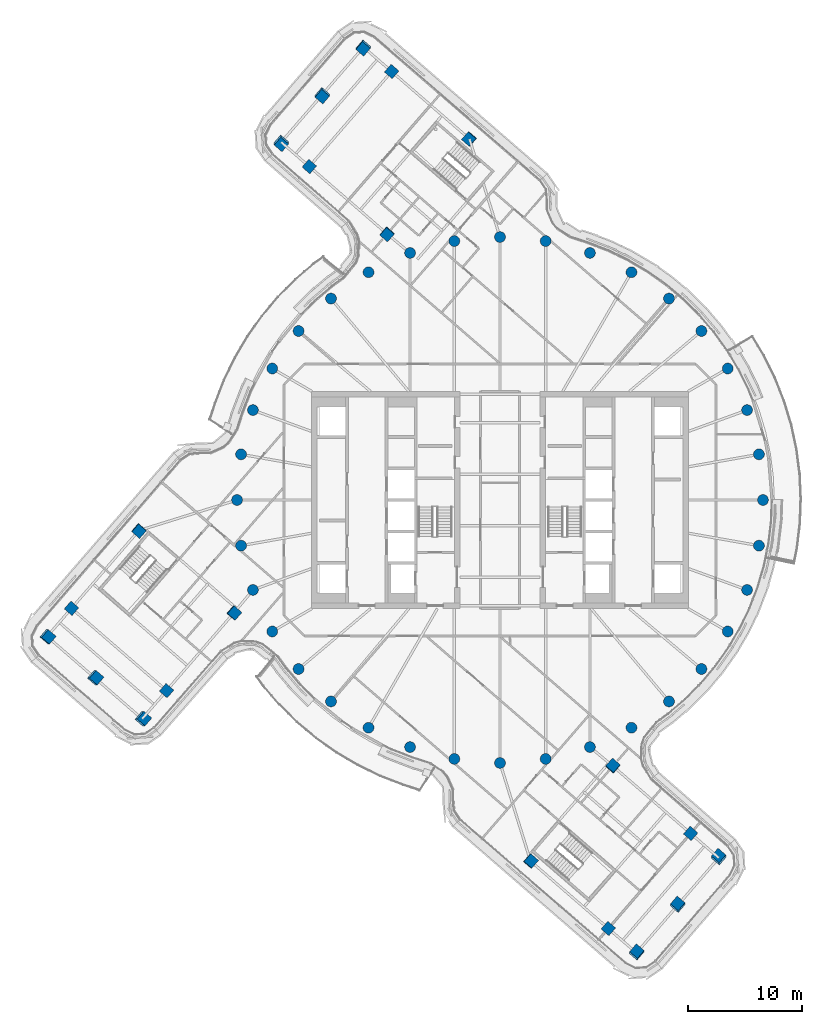
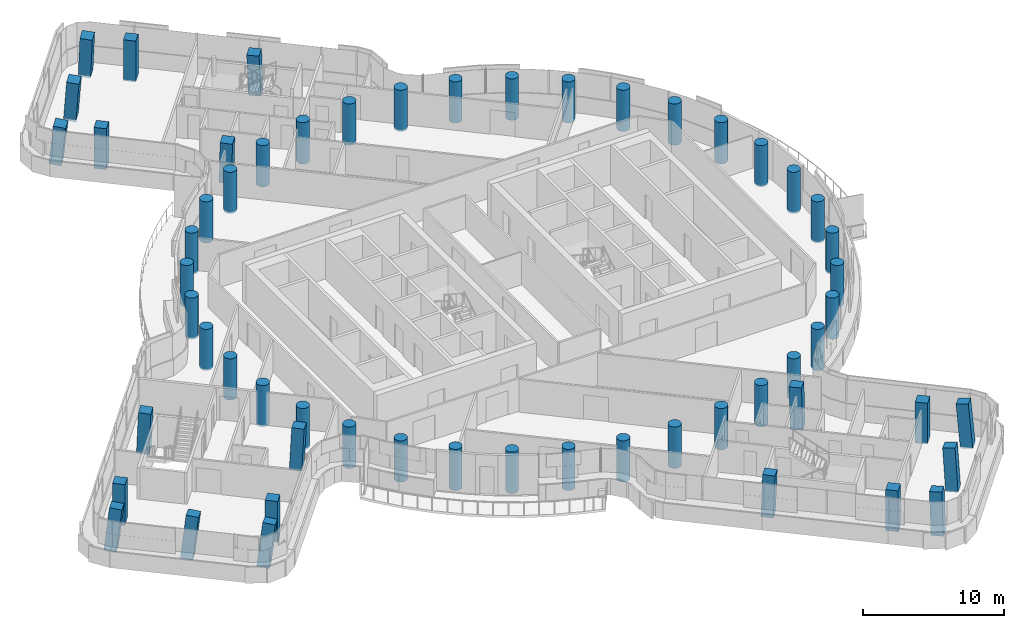
# One storey, part 1 of 32: 57 columns.
"""IFC4 building model written with IfcOpenShell, lengths in metres."""

from ifc_helpers import new_model, si_unit, direction, frame, origin, origin_2d, place, context, subcontext, project, spatial, rectangle, circle, extrude, material, material_profile, profile_set, type_object, element, save


model = new_model("IFC4")

# Units and contexts
model_context = context("Model", 3, precision=1e-05, world=origin(), true_north=direction((0.0, 1.0)))
body_context = subcontext(model_context, "Body", "Model", "MODEL_VIEW")
ifc_project = project(units=[si_unit("LENGTHUNIT", "METRE"), si_unit("AREAUNIT", "SQUARE_METRE"), si_unit("VOLUMEUNIT", "CUBIC_METRE"), si_unit("PLANEANGLEUNIT", "RADIAN"), si_unit("MASSUNIT", "GRAM", prefix="KILO")], contexts=[model_context])

# Site, building, storey
site_placement = place(None, origin())
site = spatial("IfcSite", under=ifc_project, at=site_placement, CompositionType="ELEMENT")
building_placement = place(site_placement, origin())
building = spatial("IfcBuilding", under=site, at=building_placement, Name="Tamarind Cross Interchange Tower", CompositionType="ELEMENT")
storey_placement = place(building_placement, frame((0.0, 0.0, 211.300048828125)))
storey = spatial("IfcBuildingStorey", under=building, at=storey_placement, Name="L53", CompositionType="ELEMENT", Elevation=211.300048828125)

# Columns
ifc_material = material(Name="Concrete C55", Category="concrete")
ifc_material_profile_1 = material_profile(ifc_material, rectangle(XDim=0.89990234375, YDim=0.89990234375, at=origin_2d()), Name="RC 900x900")
ifc_profile_set_1 = profile_set([ifc_material_profile_1], Name="Concrete C55")
column_type_1 = type_object("IfcColumnType", Name="Column RC 900x900 Concrete C55", PredefinedType="COLUMN", material=ifc_profile_set_1)
for number, where, z_axis, x_axis, name in (
    (1, (-16.677978515625, 29.168212890625, -0.113037109375), (0.0, 0.0, 1.0), (0.654666934653, 0.755917458902, 0.0), "Column L53-043"),
    (2, (-9.476806640625, 37.4833984375, -0.113037109375), (0.0, 0.0, 1.0), (0.654666934653, 0.755917458902, 0.0), "Column L53-044"),
):
    element("IfcColumn", number, at=place(storey_placement, frame(where, z_axis=z_axis, x_axis=x_axis)), inside=storey, type_object=column_type_1, Name=name, PredefinedType="COLUMN", context=body_context, shape_type="SweptSolid", body=[
        extrude(rectangle(XDim=0.89990234375, YDim=0.89990234375, at=origin_2d()), origin(), (0.0, 0.0, 1.0), 3.532958984375),
    ])
for number, where, z_axis, x_axis, name in (
    (3, (-9.874755859375, 23.276123046875, -0.138671875), (-0.006107636485, -0.050576720108, 0.998701503033), (0.65512033416, 0.754344619796, 0.042208320932), "Column L53-045"),
    (4, (-2.673583984375, 31.59130859375, -0.138671875), (-0.048929749847, -0.014136786071, 0.998702173253), (0.755438576548, -0.654631781885, 0.027745039374), "Column L53-046"),
):
    element("IfcColumn", number, at=place(storey_placement, frame(where, z_axis=z_axis, x_axis=x_axis)), inside=storey, type_object=column_type_1, Name=name, PredefinedType="COLUMN", context=body_context, shape_type="SweptSolid", body=[
        extrude(rectangle(XDim=0.89990234375, YDim=0.89990234375, at=origin_2d()), origin(), (0.0, 0.0, 1.0), 3.5576171875),
    ])
column_1_placement = place(storey_placement, frame((-11.940185546875, 39.616455078125, -0.13818359375), z_axis=(-0.026162103866, -0.114031159521, 0.993132639167), x_axis=(0.653408570418, 0.749921680043, 0.10331850708)))
element("IfcColumn", 5, at=column_1_placement, inside=storey, type_object=column_type_1, Name="Column L53-047", PredefinedType="COLUMN", context=body_context, shape_type="SweptSolid", body=[
    extrude(rectangle(XDim=0.89990234375, YDim=0.89990234375, at=origin_2d()), origin(), (0.0, 0.0, 1.0), 3.564697265625),
])
column_2_placement = place(storey_placement, frame((-15.540771484375, 35.458984375, -0.137939453125), z_axis=(-0.004851014042, -0.131933917115, 0.991246643968), x_axis=(0.654547521536, 0.748986420172, 0.102892586944)))
element("IfcColumn", 6, at=column_2_placement, inside=storey, type_object=column_type_1, Name="Column L53-048", PredefinedType="COLUMN", context=body_context, shape_type="SweptSolid", body=[
    extrude(rectangle(XDim=0.89990234375, YDim=0.89990234375, at=origin_2d()), origin(), (0.0, 0.0, 1.0), 3.5732421875),
])
column_3_placement = place(storey_placement, frame((-19.141357421875, 31.30126953125, -0.137939453125), z_axis=(0.016414482341, -0.14956930797, 0.988614984148), x_axis=(0.655428916843, 0.748292653937, 0.102328095011)))
element("IfcColumn", 7, at=column_3_placement, inside=storey, type_object=column_type_1, Name="Column L53-049", PredefinedType="COLUMN", context=body_context, shape_type="SweptSolid", body=[
    extrude(rectangle(XDim=0.89990234375, YDim=0.89990234375, at=origin_2d()), origin(), (0.0, 0.0, 1.0), 3.58447265625),
])
for number, where, z_axis, x_axis, name in (
    (8, (-29.168212890625, -16.677978515625, -0.113037109375), (0.0, 0.0, 1.0), (0.654666934653, 0.755917458902, 0.0), "Column L53-050"),
    (9, (-37.4833984375, -9.476806640625, -0.113037109375), (0.0, 0.0, 1.0), (0.654666934653, 0.755917458902, 0.0), "Column L53-051"),
):
    element("IfcColumn", number, at=place(storey_placement, frame(where, z_axis=z_axis, x_axis=x_axis)), inside=storey, type_object=column_type_1, Name=name, PredefinedType="COLUMN", context=body_context, shape_type="SweptSolid", body=[
        extrude(rectangle(XDim=0.89990234375, YDim=0.89990234375, at=origin_2d()), origin(), (0.0, 0.0, 1.0), 3.532958984375),
    ])
for number, where, z_axis, x_axis, name in (
    (10, (-23.276123046875, -9.874755859375, -0.138671875), (0.050576720108, -0.006107636485, 0.998701503033), (-0.754344619796, 0.65512033416, 0.042208320932), "Column L53-052"),
    (11, (-31.59130859375, -2.673583984375, -0.138671875), (0.014136786071, -0.048929749847, 0.998702173253), (0.654631781885, 0.755438576548, 0.027745039374), "Column L53-053"),
):
    element("IfcColumn", number, at=place(storey_placement, frame(where, z_axis=z_axis, x_axis=x_axis)), inside=storey, type_object=column_type_1, Name=name, PredefinedType="COLUMN", context=body_context, shape_type="SweptSolid", body=[
        extrude(rectangle(XDim=0.89990234375, YDim=0.89990234375, at=origin_2d()), origin(), (0.0, 0.0, 1.0), 3.5576171875),
    ])
column_4_placement = place(storey_placement, frame((-39.616455078125, -11.940185546875, -0.13818359375), z_axis=(0.114031159521, -0.026162103866, 0.993132639167), x_axis=(-0.749921680043, 0.653408570418, 0.10331850708)))
element("IfcColumn", 12, at=column_4_placement, inside=storey, type_object=column_type_1, Name="Column L53-054", PredefinedType="COLUMN", context=body_context, shape_type="SweptSolid", body=[
    extrude(rectangle(XDim=0.89990234375, YDim=0.89990234375, at=origin_2d()), origin(), (0.0, 0.0, 1.0), 3.564697265625),
])
column_5_placement = place(storey_placement, frame((-35.458984375, -15.540771484375, -0.137939453125), z_axis=(0.131933917115, -0.004851014042, 0.991246643968), x_axis=(-0.748986420172, 0.654547521536, 0.102892586944)))
element("IfcColumn", 13, at=column_5_placement, inside=storey, type_object=column_type_1, Name="Column L53-055", PredefinedType="COLUMN", context=body_context, shape_type="SweptSolid", body=[
    extrude(rectangle(XDim=0.89990234375, YDim=0.89990234375, at=origin_2d()), origin(), (0.0, 0.0, 1.0), 3.5732421875),
])
column_6_placement = place(storey_placement, frame((-31.30126953125, -19.141357421875, -0.137939453125), z_axis=(0.14956930797, 0.016414482341, 0.988614984148), x_axis=(-0.748292653937, 0.655428916843, 0.102328095011)))
element("IfcColumn", 14, at=column_6_placement, inside=storey, type_object=column_type_1, Name="Column L53-056", PredefinedType="COLUMN", context=body_context, shape_type="SweptSolid", body=[
    extrude(rectangle(XDim=0.89990234375, YDim=0.89990234375, at=origin_2d()), origin(), (0.0, 0.0, 1.0), 3.58447265625),
])
for number, where, z_axis, x_axis, name in (
    (15, (16.677978515625, -29.168212890625, -0.113037109375), (0.0, 0.0, 1.0), (0.654666934653, 0.755917458902, 0.0), "Column L53-057"),
    (16, (9.476806640625, -37.4833984375, -0.113037109375), (0.0, 0.0, 1.0), (0.654666934653, 0.755917458902, 0.0), "Column L53-058"),
):
    element("IfcColumn", number, at=place(storey_placement, frame(where, z_axis=z_axis, x_axis=x_axis)), inside=storey, type_object=column_type_1, Name=name, PredefinedType="COLUMN", context=body_context, shape_type="SweptSolid", body=[
        extrude(rectangle(XDim=0.89990234375, YDim=0.89990234375, at=origin_2d()), origin(), (0.0, 0.0, 1.0), 3.532958984375),
    ])
for number, where, z_axis, x_axis, name in (
    (17, (9.874755859375, -23.276123046875, -0.138671875), (0.006058155225, 0.050599364664, 0.99870065738), (-0.654352563954, -0.755009947091, 0.042222053956), "Column L53-059"),
    (18, (2.673583984375, -31.59130859375, -0.138671875), (0.048947189574, 0.014112762114, 0.998701658444), (-0.755079392034, 0.655045814705, 0.027750538066), "Column L53-060"),
):
    element("IfcColumn", number, at=place(storey_placement, frame(where, z_axis=z_axis, x_axis=x_axis)), inside=storey, type_object=column_type_1, Name=name, PredefinedType="COLUMN", context=body_context, shape_type="SweptSolid", body=[
        extrude(rectangle(XDim=0.89990234375, YDim=0.89990234375, at=origin_2d()), origin(), (0.0, 0.0, 1.0), 3.54638671875),
    ])
column_7_placement = place(storey_placement, frame((11.940185546875, -39.616455078125, -0.13818359375), z_axis=(0.026162302416, 0.114012560003, 0.993134769351), x_axis=(-0.653436895728, -0.749899199343, 0.10330253688)))
element("IfcColumn", 19, at=column_7_placement, inside=storey, type_object=column_type_1, Name="Column L53-061", PredefinedType="COLUMN", context=body_context, shape_type="SweptSolid", body=[
    extrude(rectangle(XDim=0.89990234375, YDim=0.89990234375, at=origin_2d()), origin(), (0.0, 0.0, 1.0), 3.546142578125),
])
column_8_placement = place(storey_placement, frame((15.540771484375, -35.458984375, -0.137939453125), z_axis=(0.004818873241, 0.131968285761, 0.991242225702), x_axis=(-0.654358041919, -0.749148415395, 0.102918437061)))
element("IfcColumn", 20, at=column_8_placement, inside=storey, type_object=column_type_1, Name="Column L53-062", PredefinedType="COLUMN", context=body_context, shape_type="SweptSolid", body=[
    extrude(rectangle(XDim=0.89990234375, YDim=0.89990234375, at=origin_2d()), origin(), (0.0, 0.0, 1.0), 3.54638671875),
])
column_9_placement = place(storey_placement, frame((19.141357421875, -31.30126953125, -0.137939453125), z_axis=(-0.016369120428, 0.149591751807, 0.988612340449), x_axis=(-0.655665472687, -0.748083772952, 0.102339907032)))
element("IfcColumn", 21, at=column_9_placement, inside=storey, type_object=column_type_1, Name="Column L53-063", PredefinedType="COLUMN", context=body_context, shape_type="SweptSolid", body=[
    extrude(rectangle(XDim=0.89990234375, YDim=0.89990234375, at=origin_2d()), origin(), (0.0, 0.0, 1.0), 3.5498046875),
])
ifc_material_profile_2 = material_profile(ifc_material, circle(Radius=0.47509765625, at=origin_2d()), Name="RC D950")
ifc_profile_set_2 = profile_set([ifc_material_profile_2], Name="Concrete C55")
column_type_2 = type_object("IfcColumnType", Name="Column RC D950 Concrete C55", PredefinedType="COLUMN", material=ifc_profile_set_2)
for number, where, z_axis, x_axis, name in (
    (22, (23.0, 0.0, -0.14013671875), (0.0, 0.0, 1.0), (1.0, 0.0, 0.0), "Column L53-000"),
    (23, (22.650634765625, 3.993896484375, -0.14013671875), (0.0, 0.0, 1.0), (1.0, 0.0, 0.0), "Column L53-001"),
    (24, (21.613037109375, 7.866455078125, -0.14013671875), (0.0, 0.0, 1.0), (1.0, 0.0, 0.0), "Column L53-002"),
    (25, (19.918701171875, 11.5, -0.14013671875), (0.0, 0.0, 1.0), (1.0, 0.0, 0.0), "Column L53-003"),
    (26, (17.619140625, 14.7841796875, -0.14013671875), (0.0, 0.0, 1.0), (1.0, 0.0, 0.0), "Column L53-004"),
    (27, (14.7841796875, 17.619140625, -0.14013671875), (0.0, 0.0, 1.0), (1.0, 0.0, 0.0), "Column L53-005"),
    (28, (11.5, 19.918701171875, -0.14013671875), (0.0, 0.0, 1.0), (1.0, 0.0, 0.0), "Column L53-006"),
    (29, (7.866455078125, 21.613037109375, -0.14013671875), (0.0, 0.0, 1.0), (1.0, 0.0, 0.0), "Column L53-007"),
    (30, (3.993896484375, 22.650634765625, -0.14013671875), (0.0, 0.0, 1.0), (1.0, 0.0, 0.0), "Column L53-008"),
    (31, (0.0, 23.0, -0.14013671875), (0.0, 0.0, 1.0), (1.0, 0.0, 0.0), "Column L53-009"),
    (32, (-3.993896484375, 22.650634765625, -0.14013671875), (0.0, 0.0, 1.0), (1.0, 0.0, 0.0), "Column L53-010"),
    (33, (-7.866455078125, 21.613037109375, -0.14013671875), (0.0, 0.0, 1.0), (1.0, 0.0, 0.0), "Column L53-011"),
    (34, (-11.5, 19.918701171875, -0.14013671875), (0.0, 0.0, 1.0), (1.0, 0.0, 0.0), "Column L53-012"),
    (35, (-14.7841796875, 17.619140625, -0.14013671875), (0.0, 0.0, 1.0), (1.0, 0.0, 0.0), "Column L53-013"),
    (36, (-17.619140625, 14.7841796875, -0.14013671875), (0.0, 0.0, 1.0), (1.0, 0.0, 0.0), "Column L53-014"),
    (37, (-19.918701171875, 11.5, -0.14013671875), (0.0, 0.0, 1.0), (1.0, 0.0, 0.0), "Column L53-015"),
    (38, (-21.613037109375, 7.866455078125, -0.14013671875), (0.0, 0.0, 1.0), (1.0, 0.0, 0.0), "Column L53-016"),
    (39, (-22.650634765625, 3.993896484375, -0.14013671875), (0.0, 0.0, 1.0), (1.0, 0.0, 0.0), "Column L53-017"),
    (40, (-23.0, 0.0, -0.14013671875), (0.0, 0.0, 1.0), (1.0, 0.0, 0.0), "Column L53-018"),
    (41, (-22.650634765625, -3.993896484375, -0.14013671875), (0.0, 0.0, 1.0), (1.0, 0.0, 0.0), "Column L53-019"),
    (42, (-21.613037109375, -7.866455078125, -0.14013671875), (0.0, 0.0, 1.0), (1.0, 0.0, 0.0), "Column L53-020"),
    (43, (-19.918701171875, -11.5, -0.14013671875), (0.0, 0.0, 1.0), (1.0, 0.0, 0.0), "Column L53-021"),
    (44, (-17.619140625, -14.7841796875, -0.14013671875), (0.0, 0.0, 1.0), (1.0, 0.0, 0.0), "Column L53-022"),
    (45, (-14.7841796875, -17.619140625, -0.14013671875), (0.0, 0.0, 1.0), (1.0, 0.0, 0.0), "Column L53-023"),
    (46, (-11.5, -19.918701171875, -0.14013671875), (0.0, 0.0, 1.0), (1.0, 0.0, 0.0), "Column L53-024"),
    (47, (-7.866455078125, -21.613037109375, -0.14013671875), (0.0, 0.0, 1.0), (1.0, 0.0, 0.0), "Column L53-025"),
    (48, (-3.993896484375, -22.650634765625, -0.14013671875), (0.0, 0.0, 1.0), (1.0, 0.0, 0.0), "Column L53-026"),
    (49, (0.0, -23.0, -0.14013671875), (0.0, 0.0, 1.0), (1.0, 0.0, 0.0), "Column L53-027"),
    (50, (3.993896484375, -22.650634765625, -0.14013671875), (0.0, 0.0, 1.0), (1.0, 0.0, 0.0), "Column L53-028"),
    (51, (7.866455078125, -21.613037109375, -0.14013671875), (0.0, 0.0, 1.0), (1.0, 0.0, 0.0), "Column L53-029"),
    (52, (11.5, -19.918701171875, -0.14013671875), (0.0, 0.0, 1.0), (1.0, 0.0, 0.0), "Column L53-030"),
    (53, (14.7841796875, -17.619140625, -0.14013671875), (0.0, 0.0, 1.0), (1.0, 0.0, 0.0), "Column L53-031"),
    (54, (17.619140625, -14.7841796875, -0.14013671875), (0.0, 0.0, 1.0), (1.0, 0.0, 0.0), "Column L53-032"),
    (55, (19.918701171875, -11.5, -0.14013671875), (0.0, 0.0, 1.0), (1.0, 0.0, 0.0), "Column L53-033"),
    (56, (21.613037109375, -7.866455078125, -0.14013671875), (0.0, 0.0, 1.0), (1.0, 0.0, 0.0), "Column L53-034"),
    (57, (22.650634765625, -3.993896484375, -0.14013671875), (0.0, 0.0, 1.0), (1.0, 0.0, 0.0), "Column L53-035"),
):
    element("IfcColumn", number, at=place(storey_placement, frame(where, z_axis=z_axis, x_axis=x_axis)), inside=storey, type_object=column_type_2, Name=name, PredefinedType="COLUMN", context=body_context, shape_type="SweptSolid", body=[
        extrude(circle(Radius=0.47509765625, at=origin_2d()), origin(), (0.0, 0.0, 1.0), 3.56005859375),
    ])

save(model, "model.ifc")
